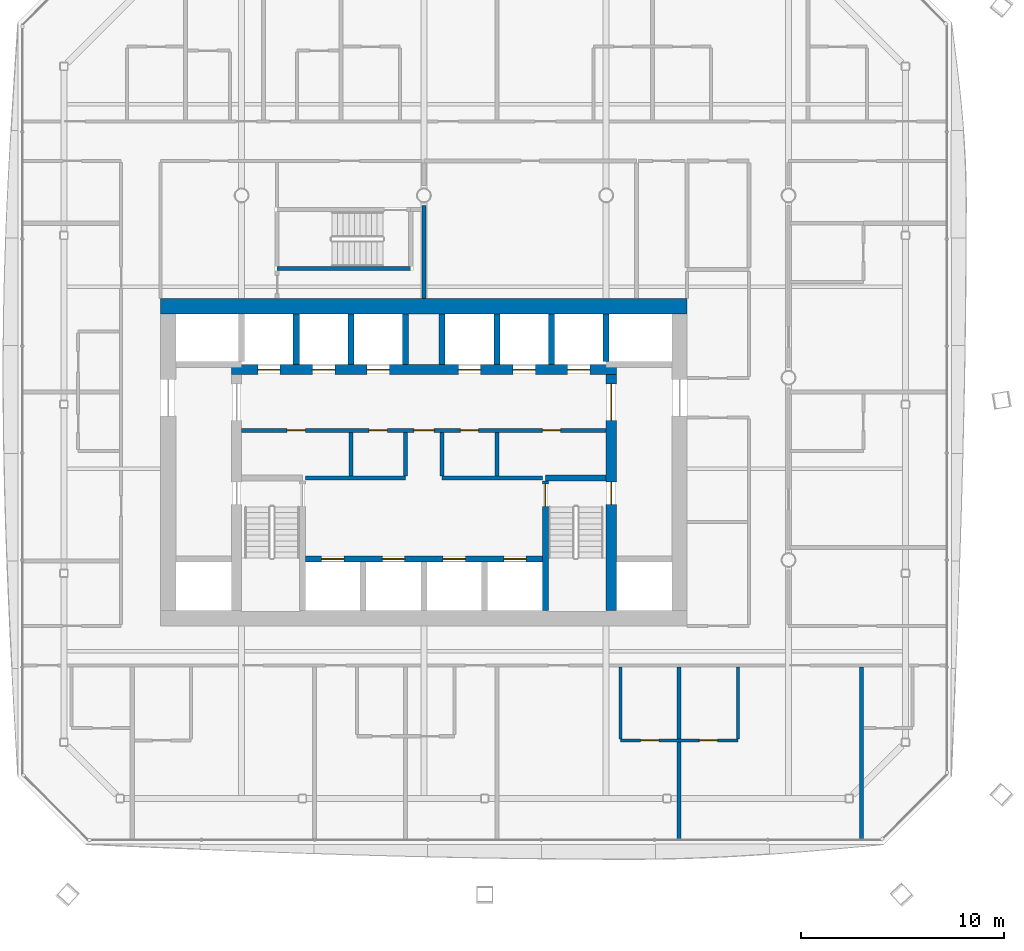
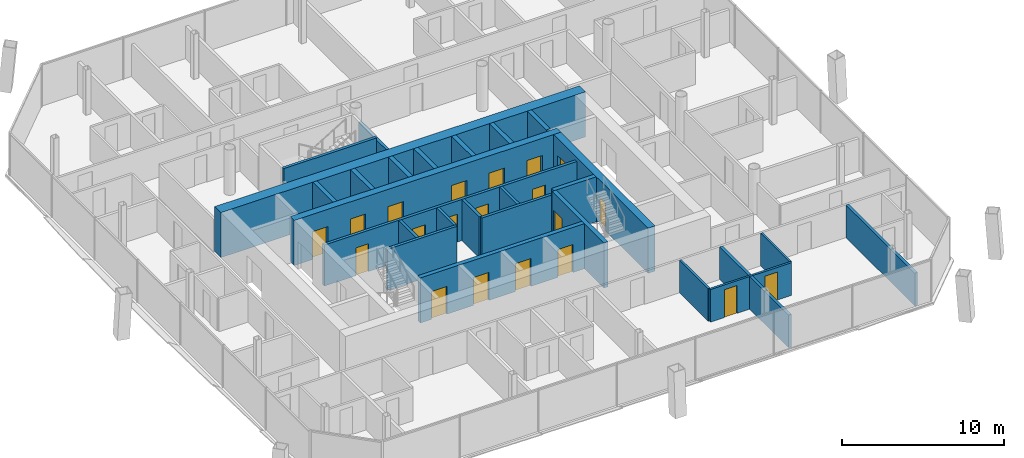
# One storey, part 13 of 21: 27 walls, 20 doors, 20 openings.
"""IFC4 building model written with IfcOpenShell, lengths in metres."""

import ifcopenshell
import ifcopenshell.guid

model = None  # the IFC model being written
_history = None  # IfcOwnerHistory: only IFC2X3 demands one
_inside = {}  # id of a spatial element -> (the spatial element, [elements in it])
_under = {}  # id of a project, library or spatial element -> (it, [spatial elements below it])
_declared = {}  # id of a project -> (the project, [libraries it declares])
_typed = {}  # id of a type object -> (the type object, [elements of that type])
_made_of = {}  # id of a material, layer set ... -> (it, [elements and type objects made of it])


def new_model(schema):
    """Start an empty IFC model of exactly this schema.

    Asked for "IFC4X3", IfcOpenShell would pick the latest addendum, in which some entities
    have other attributes; the version numbers below select the first issue.
    IFC2X3 requires an IfcOwnerHistory on every rooted entity: one is made here for all.
    """
    global model, _history
    if schema == "IFC4X3":
        model = ifcopenshell.file(schema_version=(4, 3, 0, 0))
    else:
        model = ifcopenshell.file(schema=schema)
    _inside.clear()
    _under.clear()
    _declared.clear()
    _typed.clear()
    _made_of.clear()
    _history = None
    if model.schema == "IFC2X3":
        org = make("IfcOrganization", Name="unknown")
        user = make(
            "IfcPersonAndOrganization",
            ThePerson=make("IfcPerson", FamilyName="unknown"),
            TheOrganization=org,
        )
        app = make(
            "IfcApplication",
            ApplicationDeveloper=org,
            Version="unknown",
            ApplicationFullName="unknown",
            ApplicationIdentifier="unknown",
        )
        _history = make(
            "IfcOwnerHistory",
            OwningUser=user,
            OwningApplication=app,
            ChangeAction="ADDED",
            CreationDate=0,
        )
    return model


def make(cls, **values):
    """One entity of the class cls with the attributes given. An attribute that is None is left unset."""
    return model.create_entity(
        cls, **{name: value for name, value in values.items() if value is not None}
    )


def rooted(cls, **values):
    """An entity with a GlobalId (a new one), such as an element, a storey or a relation."""
    return make(cls, GlobalId=ifcopenshell.guid.new(), OwnerHistory=_history, **values)


def si_unit(unit_type, name, prefix=None):
    """IfcSIUnit, for example si_unit("LENGTHUNIT", "METRE", prefix="MILLI")."""
    return make("IfcSIUnit", UnitType=unit_type, Prefix=prefix, Name=name)


def assignment(units):
    """IfcUnitAssignment: the units of a project."""
    return None if units is None else make("IfcUnitAssignment", Units=units)


def point(xyz):
    """IfcCartesianPoint."""
    return None if xyz is None else make("IfcCartesianPoint", Coordinates=xyz)


def direction(xyz):
    """IfcDirection."""
    return None if xyz is None else make("IfcDirection", DirectionRatios=xyz)


def frame(location, z_axis=None, x_axis=None):
    """IfcAxis2Placement3D, a coordinate frame: its origin and axes. An axis left out is left unset."""
    return make(
        "IfcAxis2Placement3D",
        Location=point(location),
        Axis=direction(z_axis),
        RefDirection=direction(x_axis),
    )


def frame_2d(location, x_axis=None):
    """IfcAxis2Placement2D, a coordinate frame in the plane: its origin and x axis."""
    return make(
        "IfcAxis2Placement2D", Location=point(location), RefDirection=direction(x_axis)
    )


def origin():
    """The frame at (0, 0, 0) with its axes left unset."""
    return frame((0.0, 0.0, 0.0))


def place(relative_to, where):
    """IfcLocalPlacement: puts the frame where relative to a parent placement (None: the world)."""
    return make(
        "IfcLocalPlacement", PlacementRelTo=relative_to, RelativePlacement=where
    )


def context(
    kind, dimensions, precision=None, world=None, true_north=None, identifier=None
):
    """IfcGeometricRepresentationContext, for example the 3D "Model" context."""
    return make(
        "IfcGeometricRepresentationContext",
        ContextIdentifier=identifier,
        ContextType=kind,
        CoordinateSpaceDimension=dimensions,
        Precision=precision,
        WorldCoordinateSystem=world,
        TrueNorth=true_north,
    )


def subcontext(parent, identifier, kind, view, scale=None):
    """IfcGeometricRepresentationSubContext, for example "Body" below "Model"."""
    return make(
        "IfcGeometricRepresentationSubContext",
        ContextIdentifier=identifier,
        ContextType=kind,
        ParentContext=parent,
        TargetScale=scale,
        TargetView=view,
    )


def project(units=None, contexts=None):
    """IfcProject with its units and contexts."""
    return rooted(
        "IfcProject",
        Name="project",
        RepresentationContexts=contexts,
        UnitsInContext=assignment(units),
    )


def spatial(cls, under=None, at=None, **own):
    """A site, building, storey or space (cls), placed at a placement, below another one or the project."""
    s = rooted(cls, ObjectPlacement=at, **own)
    if under is not None:
        _under.setdefault(under.id(), (under, []))[1].append(s)
    return s


def profile(cls, at=None, kind="AREA", **sizes):
    """A parametric profile (cls). Its sizes go by their IFC names, for example OverallWidth=200.0."""
    return make(cls, ProfileType=kind, Position=at, **sizes)


def rectangle(**sizes):
    """IfcRectangleProfileDef."""
    return profile("IfcRectangleProfileDef", **sizes)


def extrude(swept, where, along, depth):
    """IfcExtrudedAreaSolid: the profile swept, set in the frame where, extruded along a direction by depth."""
    return make(
        "IfcExtrudedAreaSolid",
        SweptArea=swept,
        Position=where,
        ExtrudedDirection=direction(along),
        Depth=depth,
    )


def shape(context_of_items, identifier, shape_type, items):
    """IfcShapeRepresentation: the items that make up one representation, for example the "Body"."""
    return make(
        "IfcShapeRepresentation",
        ContextOfItems=context_of_items,
        RepresentationIdentifier=identifier,
        RepresentationType=shape_type,
        Items=items,
    )


def material(Name=None, Category=None):
    """IfcMaterial."""
    return make("IfcMaterial", Name=Name, Category=Category)


def layer(
    of_material, thickness, ventilated=None, Name=None, Category=None, Priority=None
):
    """IfcMaterialLayer: one layer of a wall or slab, of a material (None: an air gap)."""
    return make(
        "IfcMaterialLayer",
        Material=of_material,
        LayerThickness=thickness,
        IsVentilated=ventilated,
        Name=Name,
        Category=Category,
        Priority=Priority,
    )


def layer_set(layers, Name=None):
    """IfcMaterialLayerSet."""
    return make("IfcMaterialLayerSet", MaterialLayers=layers, LayerSetName=Name)


def made_of(thing, what):
    """Note that an element or type object is made of a material, layer set ...; save() writes the relation."""
    if what is not None:
        _made_of.setdefault(what.id(), (what, []))[1].append(thing)
    return thing


def type_object(cls, material=None, **own):
    """A type object (cls), such as IfcWallType, which elements share."""
    return made_of(rooted(cls, **own), material)


def element(
    cls,
    number,
    at=None,
    inside=None,
    cuts=None,
    type_object=None,
    material=None,
    context=None,
    identifier="Body",
    shape_type=None,
    held_by="IfcProductDefinitionShape",
    body=None,
    shapes=None,
    **own,
):
    """One element of the class cls, such as IfcWall. Its Tag is "e" and its number.

    at: its placement. inside: the storey or other place that contains it. cuts: it is an
    opening in that element (IfcRelVoidsElement). A single representation is given by context,
    identifier, shape_type and body (its items); several are given by shapes. held_by: the class
    of the entity that holds the representations. save() writes the other relations.
    """
    e = rooted(cls, Tag="e%d" % number, ObjectPlacement=at, **own)
    if body is not None:
        shapes = [shape(context, identifier, shape_type, body)]
    if shapes is not None:
        e.Representation = make(held_by, Representations=shapes)
    if inside is not None:
        _inside.setdefault(inside.id(), (inside, []))[1].append(e)
    if cuts is not None:
        rooted(
            "IfcRelVoidsElement", RelatingBuildingElement=cuts, RelatedOpeningElement=e
        )
    if type_object is not None:
        _typed.setdefault(type_object.id(), (type_object, []))[1].append(e)
    return made_of(e, material)


def fill(opening, filler):
    """IfcRelFillsElement: the door or window that sits in an opening."""
    return rooted(
        "IfcRelFillsElement",
        RelatingOpeningElement=opening,
        RelatedBuildingElement=filler,
    )


def aggregate(whole, parts):
    """IfcRelAggregates: a whole, such as a stair, and the parts it consists of."""
    return rooted("IfcRelAggregates", RelatingObject=whole, RelatedObjects=parts)


def save(model, path):
    """Write the relations noted so far, then the file.

    IfcRelAggregates (storeys below a building ...), IfcRelContainedInSpatialStructure (elements
    in a storey), IfcRelDefinesByType, IfcRelAssociatesMaterial and IfcRelDeclares: one each for
    every whole, place, type object, material and project.
    """
    for whole, parts in _under.values():
        aggregate(whole, parts)
    for where, things in _inside.values():
        rooted(
            "IfcRelContainedInSpatialStructure",
            RelatedElements=things,
            RelatingStructure=where,
        )
    for kind, things in _typed.values():
        rooted("IfcRelDefinesByType", RelatedObjects=things, RelatingType=kind)
    for what, things in _made_of.values():
        rooted("IfcRelAssociatesMaterial", RelatedObjects=things, RelatingMaterial=what)
    for by, libraries in _declared.values():
        rooted("IfcRelDeclares", RelatingContext=by, RelatedDefinitions=libraries)
    model.write(path)


model = new_model("IFC4")

# Units and contexts
model_context = context("Model", 3, precision=1e-05, world=origin(), true_north=direction((0.0, 1.0)))
body_context = subcontext(model_context, "Body", "Model", "MODEL_VIEW")
ifc_project = project(units=[si_unit("LENGTHUNIT", "METRE"), si_unit("AREAUNIT", "SQUARE_METRE"), si_unit("VOLUMEUNIT", "CUBIC_METRE"), si_unit("PLANEANGLEUNIT", "RADIAN"), si_unit("MASSUNIT", "GRAM", prefix="KILO")], contexts=[model_context])

# Site, building, storey
site_placement = place(None, origin())
site = spatial("IfcSite", under=ifc_project, at=site_placement, CompositionType="ELEMENT")
building_placement = place(site_placement, origin())
building = spatial("IfcBuilding", under=site, at=building_placement, Name="Tskaro Facet Tower", CompositionType="ELEMENT")
storey_placement = place(building_placement, frame((0.0, 0.0, 138.5)))
storey = spatial("IfcBuildingStorey", under=building, at=storey_placement, Name="L33", CompositionType="ELEMENT", Elevation=138.5)

# Wall, openings, doors
ifc_material_1 = material(Name="Concrete C60/75", Category="concrete")
ifc_layer_1 = layer(ifc_material_1, 0.300048828125, Name="Concrete C60/75")
ifc_layer_set_1 = layer_set([ifc_layer_1], Name="Concrete C60/75")
wall_type_1 = type_object("IfcWallType", Name="CORE-SHAFT", PredefinedType="SHEAR", material=ifc_layer_set_1)
wall_1_placement = place(storey_placement, frame((-5.85009765625, -8.949951171875, 0.0), z_axis=(0.0, 0.0, 1.0), x_axis=(1.0, 0.0, 0.0)))
wall_1 = element("IfcWall", 1, at=wall_1_placement, inside=storey, type_object=wall_type_1, Name="Shaft wall W012", PredefinedType="SHEAR", context=body_context, shape_type="SweptSolid", body=[
    extrude(rectangle(XDim=11.7001953125, YDim=0.300048828125, at=frame_2d((5.85009765625, 0.0))), origin(), (0.0, 0.0, 1.0), 3.39990234375),
])
opening_1_placement = place(wall_1_placement, frame((0.800048828125, 0.0, 0.0)))
opening_1 = element("IfcOpeningElement", 2, at=opening_1_placement, cuts=wall_1, Name="Opening LD-FF1", PredefinedType="OPENING", context=body_context, shape_type="SweptSolid", body=[
    extrude(rectangle(XDim=1.10009765625, YDim=2.10009765625, at=frame_2d((0.550048828125, 1.050048828125))), frame((0.0, 0.159912109375, 0.0), z_axis=(0.0, -1.0, 0.0), x_axis=(1.0, 0.0, 0.0)), (0.0, 0.0, 1.0), 0.320068359375),
])
opening_2_placement = place(wall_1_placement, frame((3.800048828125, 0.0, 0.0)))
opening_2 = element("IfcOpeningElement", 3, at=opening_2_placement, cuts=wall_1, Name="Opening LD-FF2", PredefinedType="OPENING", context=body_context, shape_type="SweptSolid", body=[
    extrude(rectangle(XDim=1.10009765625, YDim=2.10009765625, at=frame_2d((0.550048828125, 1.050048828125))), frame((0.0, 0.159912109375, 0.0), z_axis=(0.0, -1.0, 0.0), x_axis=(1.0, 0.0, 0.0)), (0.0, 0.0, 1.0), 0.320068359375),
])
opening_3_placement = place(wall_1_placement, frame((6.800048828125, 0.0, 0.0)))
opening_3 = element("IfcOpeningElement", 4, at=opening_3_placement, cuts=wall_1, Name="Opening LD-SV1", PredefinedType="OPENING", context=body_context, shape_type="SweptSolid", body=[
    extrude(rectangle(XDim=1.10009765625, YDim=2.10009765625, at=frame_2d((0.550048828125, 1.050048828125))), frame((0.0, 0.159912109375, 0.0), z_axis=(0.0, -1.0, 0.0), x_axis=(1.0, 0.0, 0.0)), (0.0, 0.0, 1.0), 0.320068359375),
])
opening_4_placement = place(wall_1_placement, frame((9.800048828125, 0.0, 0.0)))
opening_4 = element("IfcOpeningElement", 5, at=opening_4_placement, cuts=wall_1, Name="Opening LD-SV2", PredefinedType="OPENING", context=body_context, shape_type="SweptSolid", body=[
    extrude(rectangle(XDim=1.10009765625, YDim=2.10009765625, at=frame_2d((0.550048828125, 1.050048828125))), frame((0.0, 0.159912109375, 0.0), z_axis=(0.0, -1.0, 0.0), x_axis=(1.0, 0.0, 0.0)), (0.0, 0.0, 1.0), 0.320068359375),
])
ifc_material_2 = material(Name="Stainless steel", Category="steel")
door_type_1 = type_object("IfcDoorType", Name="D-LANDING", OperationType="NOTDEFINED", PredefinedType="DOOR", material=ifc_material_2)
door_1_placement = place(opening_1_placement, origin())
door_1 = element("IfcDoor", 6, at=door_1_placement, inside=storey, type_object=door_type_1, Name="Landing door FF1", OperationType="DOUBLE_DOOR_SLIDING", OverallHeight=2.10009765625, OverallWidth=1.10009765625, PredefinedType="DOOR", context=body_context, shape_type="SweptSolid", body=[
    extrude(rectangle(XDim=1.10009765625, YDim=2.10009765625, at=frame_2d((0.550048828125, 1.050048828125))), frame((0.0, 0.02490234375, 0.0), z_axis=(0.0, -1.0, 0.0), x_axis=(1.0, 0.0, 0.0)), (0.0, 0.0, 1.0), 0.050048828125),
])
fill(opening_1, door_1)
door_2_placement = place(opening_2_placement, origin())
door_2 = element("IfcDoor", 7, at=door_2_placement, inside=storey, type_object=door_type_1, Name="Landing door FF2", OperationType="DOUBLE_DOOR_SLIDING", OverallHeight=2.10009765625, OverallWidth=1.10009765625, PredefinedType="DOOR", context=body_context, shape_type="SweptSolid", body=[
    extrude(rectangle(XDim=1.10009765625, YDim=2.10009765625, at=frame_2d((0.550048828125, 1.050048828125))), frame((0.0, 0.02490234375, 0.0), z_axis=(0.0, -1.0, 0.0), x_axis=(1.0, 0.0, 0.0)), (0.0, 0.0, 1.0), 0.050048828125),
])
fill(opening_2, door_2)
door_3_placement = place(opening_3_placement, origin())
door_3 = element("IfcDoor", 8, at=door_3_placement, inside=storey, type_object=door_type_1, Name="Landing door SV1", OperationType="DOUBLE_DOOR_SLIDING", OverallHeight=2.10009765625, OverallWidth=1.10009765625, PredefinedType="DOOR", context=body_context, shape_type="SweptSolid", body=[
    extrude(rectangle(XDim=1.10009765625, YDim=2.10009765625, at=frame_2d((0.550048828125, 1.050048828125))), frame((0.0, 0.02490234375, 0.0), z_axis=(0.0, -1.0, 0.0), x_axis=(1.0, 0.0, 0.0)), (0.0, 0.0, 1.0), 0.050048828125),
])
fill(opening_3, door_3)
door_4_placement = place(opening_4_placement, origin())
door_4 = element("IfcDoor", 9, at=door_4_placement, inside=storey, type_object=door_type_1, Name="Landing door SV2", OperationType="DOUBLE_DOOR_SLIDING", OverallHeight=2.10009765625, OverallWidth=1.10009765625, PredefinedType="DOOR", context=body_context, shape_type="SweptSolid", body=[
    extrude(rectangle(XDim=1.10009765625, YDim=2.10009765625, at=frame_2d((0.550048828125, 1.050048828125))), frame((0.0, 0.02490234375, 0.0), z_axis=(0.0, -1.0, 0.0), x_axis=(1.0, 0.0, 0.0)), (0.0, 0.0, 1.0), 0.050048828125),
])
fill(opening_4, door_4)

# Walls
wall_2_placement = place(storey_placement, frame((6.0, -4.949951171875, 0.0), z_axis=(0.0, 0.0, 1.0), x_axis=(1.0, 0.0, 0.0)))
element("IfcWall", 10, at=wall_2_placement, inside=storey, type_object=wall_type_1, Name="Shaft wall W019", PredefinedType="SHEAR", context=body_context, shape_type="SweptSolid", body=[
    extrude(rectangle(XDim=3.0, YDim=0.300048828125, at=frame_2d((1.5, 0.0))), origin(), (0.0, 0.0, 1.0), 3.39990234375),
])
for number, where, z_axis, x_axis, name in (
    (11, (-6.300048828125, 0.64990234375, 0.0), (0.0, 0.0, 1.0), (0.0, 1.0, 0.0), "Shaft wall W065"),
    (12, (-3.60009765625, 0.64990234375, 0.0), (0.0, 0.0, 1.0), (0.0, 1.0, 0.0), "Shaft wall W071"),
    (13, (-0.89990234375, 0.64990234375, 0.0), (0.0, 0.0, 1.0), (0.0, 1.0, 0.0), "Shaft wall W077"),
    (14, (0.89990234375, 0.64990234375, 0.0), (0.0, 0.0, 1.0), (0.0, 1.0, 0.0), "Shaft wall W083"),
    (15, (3.60009765625, 0.64990234375, 0.0), (0.0, 0.0, 1.0), (0.0, 1.0, 0.0), "Shaft wall W088"),
):
    element("IfcWall", number, at=place(storey_placement, frame(where, z_axis=z_axis, x_axis=x_axis)), inside=storey, type_object=wall_type_1, Name=name, PredefinedType="SHEAR", context=body_context, shape_type="SweptSolid", body=[
        extrude(rectangle(XDim=2.5, YDim=0.300048828125, at=frame_2d((1.25, 0.0))), origin(), (0.0, 0.0, 1.0), 3.39990234375),
    ])

# Wall, opening, door
wall_3_placement = place(storey_placement, frame((6.0, -5.10009765625, 0.0), z_axis=(0.0, 0.0, 1.0), x_axis=(0.0, -1.0, 0.0)))
wall_3 = element("IfcWall", 16, at=wall_3_placement, inside=storey, type_object=wall_type_1, Name="Shaft wall W090", PredefinedType="SHEAR", context=body_context, shape_type="SweptSolid", body=[
    extrude(rectangle(XDim=6.39990234375, YDim=0.300048828125, at=frame_2d((3.199951171875, 0.0))), origin(), (0.0, 0.0, 1.0), 3.39990234375),
])
opening_5_placement = place(wall_3_placement, frame((0.14990234375, 0.0, 0.0)))
opening_5 = element("IfcOpeningElement", 17, at=opening_5_placement, cuts=wall_3, Name="Opening ST-2-D1", PredefinedType="OPENING", context=body_context, shape_type="SweptSolid", body=[
    extrude(rectangle(XDim=1.10009765625, YDim=2.10009765625, at=frame_2d((0.550048828125, 1.050048828125))), frame((0.0, 0.159912109375, 0.0), z_axis=(0.0, -1.0, 0.0), x_axis=(1.0, 0.0, 0.0)), (0.0, 0.0, 1.0), 0.320068359375),
])
ifc_material_3 = material(Name="Steel", Category="steel")
door_type_2 = type_object("IfcDoorType", Name="D-STAIR", OperationType="NOTDEFINED", PredefinedType="DOOR", material=ifc_material_3)
door_5_placement = place(opening_5_placement, origin())
door_5 = element("IfcDoor", 18, at=door_5_placement, inside=storey, type_object=door_type_2, Name="Stair door 2", OperationType="SINGLE_SWING_RIGHT", OverallHeight=2.10009765625, OverallWidth=1.10009765625, PredefinedType="DOOR", context=body_context, shape_type="SweptSolid", body=[
    extrude(rectangle(XDim=1.10009765625, YDim=2.10009765625, at=frame_2d((0.550048828125, 1.050048828125))), frame((0.0, 0.02490234375, 0.0), z_axis=(0.0, -1.0, 0.0), x_axis=(1.0, 0.0, 0.0)), (0.0, 0.0, 1.0), 0.050048828125),
])
fill(opening_5, door_5)

# Walls
wall_4_placement = place(storey_placement, frame((6.300048828125, 0.64990234375, 0.0), z_axis=(0.0, 0.0, 1.0), x_axis=(0.0, 1.0, 0.0)))
element("IfcWall", 19, at=wall_4_placement, inside=storey, type_object=wall_type_1, Name="Shaft wall W091", PredefinedType="SHEAR", context=body_context, shape_type="SweptSolid", body=[
    extrude(rectangle(XDim=2.5, YDim=0.300048828125, at=frame_2d((1.25, 0.0))), origin(), (0.0, 0.0, 1.0), 3.39990234375),
])
wall_5_placement = place(storey_placement, frame((9.0, 0.800048828125, 0.0), z_axis=(0.0, 0.0, 1.0), x_axis=(0.0, 1.0, 0.0)))
element("IfcWall", 20, at=wall_5_placement, inside=storey, type_object=wall_type_1, Name="Shaft wall W093", PredefinedType="SHEAR", context=body_context, shape_type="SweptSolid", body=[
    extrude(rectangle(XDim=2.349853515625, YDim=0.300048828125, at=frame_2d((1.1748046875, 0.0))), origin(), (0.0, 0.0, 1.0), 3.39990234375),
])
ifc_material_4 = material(Name="Concrete C20/25", Category="concrete")
ifc_layer_2 = layer(ifc_material_4, 0.199951171875, Name="Concrete C20/25")
ifc_layer_set_2 = layer_set([ifc_layer_2], Name="Concrete C20/25")
wall_type_2 = type_object("IfcWallType", Name="CORE-WALL", PredefinedType="SOLIDWALL", material=ifc_layer_set_2)
for number, where, z_axis, x_axis, name in (
    (21, (-5.85009765625, -4.949951171875, 0.0), (0.0, 0.0, 1.0), (1.0, 0.0, 0.0), "Core room wall W017"),
    (22, (0.89990234375, -4.949951171875, 0.0), (0.0, 0.0, 1.0), (1.0, 0.0, 0.0), "Core room wall W018"),
):
    element("IfcWall", number, at=place(storey_placement, frame(where, z_axis=z_axis, x_axis=x_axis)), inside=storey, type_object=wall_type_2, Name=name, PredefinedType="SOLIDWALL", context=body_context, shape_type="SweptSolid", body=[
        extrude(rectangle(XDim=4.9501953125, YDim=0.199951171875, at=frame_2d((2.47509765625, 0.0))), origin(), (0.0, 0.0, 1.0), 3.10009765625),
    ])

# Wall, openings, doors
wall_6_placement = place(storey_placement, frame((9.0, -2.60009765625, 0.0), z_axis=(0.0, 0.0, 1.0), x_axis=(-1.0, 0.0, 0.0)))
wall_6 = element("IfcWall", 23, at=wall_6_placement, inside=storey, type_object=wall_type_2, Name="Core room wall W022", PredefinedType="SOLIDWALL", context=body_context, shape_type="SweptSolid", body=[
    extrude(rectangle(XDim=18.0, YDim=0.199951171875, at=frame_2d((9.0, 0.0))), origin(), (0.0, 0.0, 1.0), 3.10009765625),
])
opening_6_placement = place(wall_6_placement, frame((8.5, 0.0, 0.0)))
opening_6 = element("IfcOpeningElement", 24, at=opening_6_placement, cuts=wall_6, Name="Opening FL-D1", PredefinedType="OPENING", context=body_context, shape_type="SweptSolid", body=[
    extrude(rectangle(XDim=1.0, YDim=2.10009765625, at=frame_2d((0.5, 1.050048828125))), frame((0.0, 0.10986328125, 0.0), z_axis=(0.0, -1.0, 0.0), x_axis=(1.0, 0.0, 0.0)), (0.0, 0.0, 1.0), 0.219970703125),
])
opening_7_placement = place(wall_6_placement, frame((14.85009765625, 0.0, 0.0)))
opening_7 = element("IfcOpeningElement", 25, at=opening_7_placement, cuts=wall_6, Name="Opening T9-D22", PredefinedType="OPENING", context=body_context, shape_type="SweptSolid", body=[
    extrude(rectangle(XDim=0.89990234375, YDim=2.10009765625, at=frame_2d((0.449951171875, 1.050048828125))), frame((0.0, 0.10986328125, 0.0), z_axis=(0.0, -1.0, 0.0), x_axis=(1.0, 0.0, 0.0)), (0.0, 0.0, 1.0), 0.219970703125),
])
opening_8_placement = place(wall_6_placement, frame((10.800048828125, 0.0, 0.0)))
opening_8 = element("IfcOpeningElement", 26, at=opening_8_placement, cuts=wall_6, Name="Opening T9-D23", PredefinedType="OPENING", context=body_context, shape_type="SweptSolid", body=[
    extrude(rectangle(XDim=0.89990234375, YDim=2.10009765625, at=frame_2d((0.449951171875, 1.050048828125))), frame((0.0, 0.10986328125, 0.0), z_axis=(0.0, -1.0, 0.0), x_axis=(1.0, 0.0, 0.0)), (0.0, 0.0, 1.0), 0.219970703125),
])
opening_9_placement = place(wall_6_placement, frame((6.300048828125, 0.0, 0.0)))
opening_9 = element("IfcOpeningElement", 27, at=opening_9_placement, cuts=wall_6, Name="Opening T9-D24", PredefinedType="OPENING", context=body_context, shape_type="SweptSolid", body=[
    extrude(rectangle(XDim=0.89990234375, YDim=2.10009765625, at=frame_2d((0.449951171875, 1.050048828125))), frame((0.0, 0.10986328125, 0.0), z_axis=(0.0, -1.0, 0.0), x_axis=(1.0, 0.0, 0.0)), (0.0, 0.0, 1.0), 0.219970703125),
])
opening_10_placement = place(wall_6_placement, frame((2.25, 0.0, 0.0)))
opening_10 = element("IfcOpeningElement", 28, at=opening_10_placement, cuts=wall_6, Name="Opening T9-D25", PredefinedType="OPENING", context=body_context, shape_type="SweptSolid", body=[
    extrude(rectangle(XDim=0.89990234375, YDim=2.10009765625, at=frame_2d((0.449951171875, 1.050048828125))), frame((0.0, 0.10986328125, 0.0), z_axis=(0.0, -1.0, 0.0), x_axis=(1.0, 0.0, 0.0)), (0.0, 0.0, 1.0), 0.219970703125),
])
door_type_3 = type_object("IfcDoorType", Name="D-LOBBY", OperationType="NOTDEFINED", PredefinedType="DOOR", material=ifc_material_3)
door_6_placement = place(opening_6_placement, origin())
door_6 = element("IfcDoor", 29, at=door_6_placement, inside=storey, type_object=door_type_3, Name="Lobby door FL", OperationType="SINGLE_SWING_RIGHT", OverallHeight=2.10009765625, OverallWidth=1.0, PredefinedType="DOOR", context=body_context, shape_type="SweptSolid", body=[
    extrude(rectangle(XDim=1.0, YDim=2.10009765625, at=frame_2d((0.5, 1.050048828125))), frame((0.0, 0.02490234375, 0.0), z_axis=(0.0, -1.0, 0.0), x_axis=(1.0, 0.0, 0.0)), (0.0, 0.0, 1.0), 0.050048828125),
])
fill(opening_6, door_6)
ifc_material_5 = material(Name="Timber", Category="wood")
door_type_4 = type_object("IfcDoorType", Name="D-ROOM", OperationType="NOTDEFINED", PredefinedType="DOOR", material=ifc_material_5)
door_7_placement = place(opening_7_placement, origin())
door_7 = element("IfcDoor", 30, at=door_7_placement, inside=storey, type_object=door_type_4, Name="Door T9-D22", OperationType="SINGLE_SWING_RIGHT", OverallHeight=2.10009765625, OverallWidth=0.89990234375, PredefinedType="DOOR", context=body_context, shape_type="SweptSolid", body=[
    extrude(rectangle(XDim=0.89990234375, YDim=2.10009765625, at=frame_2d((0.449951171875, 1.050048828125))), frame((0.0, 0.02490234375, 0.0), z_axis=(0.0, -1.0, 0.0), x_axis=(1.0, 0.0, 0.0)), (0.0, 0.0, 1.0), 0.050048828125),
])
fill(opening_7, door_7)
door_8_placement = place(opening_8_placement, origin())
door_8 = element("IfcDoor", 31, at=door_8_placement, inside=storey, type_object=door_type_4, Name="Door T9-D23", OperationType="SINGLE_SWING_RIGHT", OverallHeight=2.10009765625, OverallWidth=0.89990234375, PredefinedType="DOOR", context=body_context, shape_type="SweptSolid", body=[
    extrude(rectangle(XDim=0.89990234375, YDim=2.10009765625, at=frame_2d((0.449951171875, 1.050048828125))), frame((0.0, 0.02490234375, 0.0), z_axis=(0.0, -1.0, 0.0), x_axis=(1.0, 0.0, 0.0)), (0.0, 0.0, 1.0), 0.050048828125),
])
fill(opening_8, door_8)
door_9_placement = place(opening_9_placement, origin())
door_9 = element("IfcDoor", 32, at=door_9_placement, inside=storey, type_object=door_type_4, Name="Door T9-D24", OperationType="SINGLE_SWING_RIGHT", OverallHeight=2.10009765625, OverallWidth=0.89990234375, PredefinedType="DOOR", context=body_context, shape_type="SweptSolid", body=[
    extrude(rectangle(XDim=0.89990234375, YDim=2.10009765625, at=frame_2d((0.449951171875, 1.050048828125))), frame((0.0, 0.02490234375, 0.0), z_axis=(0.0, -1.0, 0.0), x_axis=(1.0, 0.0, 0.0)), (0.0, 0.0, 1.0), 0.050048828125),
])
fill(opening_9, door_9)
door_10_placement = place(opening_10_placement, origin())
door_10 = element("IfcDoor", 33, at=door_10_placement, inside=storey, type_object=door_type_4, Name="Door T9-D25", OperationType="SINGLE_SWING_RIGHT", OverallHeight=2.10009765625, OverallWidth=0.89990234375, PredefinedType="DOOR", context=body_context, shape_type="SweptSolid", body=[
    extrude(rectangle(XDim=0.89990234375, YDim=2.10009765625, at=frame_2d((0.449951171875, 1.050048828125))), frame((0.0, 0.02490234375, 0.0), z_axis=(0.0, -1.0, 0.0), x_axis=(1.0, 0.0, 0.0)), (0.0, 0.0, 1.0), 0.050048828125),
])
fill(opening_10, door_10)

# Walls
for number, where, z_axis, x_axis, name in (
    (34, (-3.60009765625, -4.85009765625, 0.0), (0.0, 0.0, 1.0), (0.0, 1.0, 0.0), "Core room wall W070"),
    (35, (-0.89990234375, -4.85009765625, 0.0), (0.0, 0.0, 1.0), (0.0, 1.0, 0.0), "Core room wall W076"),
    (36, (0.89990234375, -4.85009765625, 0.0), (0.0, 0.0, 1.0), (0.0, 1.0, 0.0), "Core room wall W082"),
    (37, (3.60009765625, -4.85009765625, 0.0), (0.0, 0.0, 1.0), (0.0, 1.0, 0.0), "Core room wall W087"),
):
    element("IfcWall", number, at=place(storey_placement, frame(where, z_axis=z_axis, x_axis=x_axis)), inside=storey, type_object=wall_type_2, Name=name, PredefinedType="SOLIDWALL", context=body_context, shape_type="SweptSolid", body=[
        extrude(rectangle(XDim=2.150146484375, YDim=0.199951171875, at=frame_2d((1.0751953125, 0.0))), origin(), (0.0, 0.0, 1.0), 3.10009765625),
    ])

# Wall, openings, doors
ifc_material_6 = material(Name="Concrete C40/50", Category="concrete")
ifc_layer_3 = layer(ifc_material_6, 0.5, Name="Concrete C40/50")
ifc_layer_set_3 = layer_set([ifc_layer_3], Name="Concrete C40/50")
wall_type_3 = type_object("IfcWallType", Name="Core wall 500", PredefinedType="SHEAR", material=ifc_layer_set_3)
wall_7_placement = place(storey_placement, frame((-9.5, 0.39990234375, 0.0), z_axis=(0.0, 0.0, 1.0), x_axis=(1.0, 0.0, 0.0)))
wall_7 = element("IfcWall", 38, at=wall_7_placement, inside=storey, type_object=wall_type_3, Name="Core wall CW-Z3N", PredefinedType="SHEAR", context=body_context, shape_type="SweptSolid", body=[
    extrude(rectangle(XDim=19.0, YDim=0.5, at=frame_2d((9.5, 0.0))), origin(), (0.0, 0.0, 1.0), 3.39990234375),
])
opening_11_placement = place(wall_7_placement, frame((1.300048828125, 0.0, 0.0)))
opening_11 = element("IfcOpeningElement", 39, at=opening_11_placement, cuts=wall_7, Name="Opening LD-MB1", PredefinedType="OPENING", context=body_context, shape_type="SweptSolid", body=[
    extrude(rectangle(XDim=1.10009765625, YDim=2.10009765625, at=frame_2d((0.550048828125, 1.050048828125))), frame((0.0, 0.260009765625, 0.0), z_axis=(0.0, -1.0, 0.0), x_axis=(1.0, 0.0, 0.0)), (0.0, 0.0, 1.0), 0.52001953125),
])
opening_12_placement = place(wall_7_placement, frame((4.0, 0.0, 0.0)))
opening_12 = element("IfcOpeningElement", 40, at=opening_12_placement, cuts=wall_7, Name="Opening LD-MB2", PredefinedType="OPENING", context=body_context, shape_type="SweptSolid", body=[
    extrude(rectangle(XDim=1.10009765625, YDim=2.10009765625, at=frame_2d((0.550048828125, 1.050048828125))), frame((0.0, 0.260009765625, 0.0), z_axis=(0.0, -1.0, 0.0), x_axis=(1.0, 0.0, 0.0)), (0.0, 0.0, 1.0), 0.52001953125),
])
opening_13_placement = place(wall_7_placement, frame((6.699951171875, 0.0, 0.0)))
opening_13 = element("IfcOpeningElement", 41, at=opening_13_placement, cuts=wall_7, Name="Opening LD-MB3", PredefinedType="OPENING", context=body_context, shape_type="SweptSolid", body=[
    extrude(rectangle(XDim=1.10009765625, YDim=2.10009765625, at=frame_2d((0.550048828125, 1.050048828125))), frame((0.0, 0.260009765625, 0.0), z_axis=(0.0, -1.0, 0.0), x_axis=(1.0, 0.0, 0.0)), (0.0, 0.0, 1.0), 0.52001953125),
])
opening_14_placement = place(wall_7_placement, frame((11.199951171875, 0.0, 0.0)))
opening_14 = element("IfcOpeningElement", 42, at=opening_14_placement, cuts=wall_7, Name="Opening LD-MB4", PredefinedType="OPENING", context=body_context, shape_type="SweptSolid", body=[
    extrude(rectangle(XDim=1.10009765625, YDim=2.10009765625, at=frame_2d((0.550048828125, 1.050048828125))), frame((0.0, 0.260009765625, 0.0), z_axis=(0.0, -1.0, 0.0), x_axis=(1.0, 0.0, 0.0)), (0.0, 0.0, 1.0), 0.52001953125),
])
opening_15_placement = place(wall_7_placement, frame((13.89990234375, 0.0, 0.0)))
opening_15 = element("IfcOpeningElement", 43, at=opening_15_placement, cuts=wall_7, Name="Opening LD-MB5", PredefinedType="OPENING", context=body_context, shape_type="SweptSolid", body=[
    extrude(rectangle(XDim=1.10009765625, YDim=2.10009765625, at=frame_2d((0.550048828125, 1.050048828125))), frame((0.0, 0.260009765625, 0.0), z_axis=(0.0, -1.0, 0.0), x_axis=(1.0, 0.0, 0.0)), (0.0, 0.0, 1.0), 0.52001953125),
])
opening_16_placement = place(wall_7_placement, frame((16.60009765625, 0.0, 0.0)))
opening_16 = element("IfcOpeningElement", 44, at=opening_16_placement, cuts=wall_7, Name="Opening LD-MB6", PredefinedType="OPENING", context=body_context, shape_type="SweptSolid", body=[
    extrude(rectangle(XDim=1.10009765625, YDim=2.10009765625, at=frame_2d((0.550048828125, 1.050048828125))), frame((0.0, 0.260009765625, 0.0), z_axis=(0.0, -1.0, 0.0), x_axis=(1.0, 0.0, 0.0)), (0.0, 0.0, 1.0), 0.52001953125),
])
door_11_placement = place(opening_11_placement, origin())
door_11 = element("IfcDoor", 45, at=door_11_placement, inside=storey, type_object=door_type_1, Name="Landing door MB1", OperationType="DOUBLE_DOOR_SLIDING", OverallHeight=2.10009765625, OverallWidth=1.10009765625, PredefinedType="DOOR", context=body_context, shape_type="SweptSolid", body=[
    extrude(rectangle(XDim=1.10009765625, YDim=2.10009765625, at=frame_2d((0.550048828125, 1.050048828125))), frame((0.0, 0.02490234375, 0.0), z_axis=(0.0, -1.0, 0.0), x_axis=(1.0, 0.0, 0.0)), (0.0, 0.0, 1.0), 0.050048828125),
])
fill(opening_11, door_11)
door_12_placement = place(opening_12_placement, origin())
door_12 = element("IfcDoor", 46, at=door_12_placement, inside=storey, type_object=door_type_1, Name="Landing door MB2", OperationType="DOUBLE_DOOR_SLIDING", OverallHeight=2.10009765625, OverallWidth=1.10009765625, PredefinedType="DOOR", context=body_context, shape_type="SweptSolid", body=[
    extrude(rectangle(XDim=1.10009765625, YDim=2.10009765625, at=frame_2d((0.550048828125, 1.050048828125))), frame((0.0, 0.02490234375, 0.0), z_axis=(0.0, -1.0, 0.0), x_axis=(1.0, 0.0, 0.0)), (0.0, 0.0, 1.0), 0.050048828125),
])
fill(opening_12, door_12)
door_13_placement = place(opening_13_placement, origin())
door_13 = element("IfcDoor", 47, at=door_13_placement, inside=storey, type_object=door_type_1, Name="Landing door MB3", OperationType="DOUBLE_DOOR_SLIDING", OverallHeight=2.10009765625, OverallWidth=1.10009765625, PredefinedType="DOOR", context=body_context, shape_type="SweptSolid", body=[
    extrude(rectangle(XDim=1.10009765625, YDim=2.10009765625, at=frame_2d((0.550048828125, 1.050048828125))), frame((0.0, 0.02490234375, 0.0), z_axis=(0.0, -1.0, 0.0), x_axis=(1.0, 0.0, 0.0)), (0.0, 0.0, 1.0), 0.050048828125),
])
fill(opening_13, door_13)
door_14_placement = place(opening_14_placement, origin())
door_14 = element("IfcDoor", 48, at=door_14_placement, inside=storey, type_object=door_type_1, Name="Landing door MB4", OperationType="DOUBLE_DOOR_SLIDING", OverallHeight=2.10009765625, OverallWidth=1.10009765625, PredefinedType="DOOR", context=body_context, shape_type="SweptSolid", body=[
    extrude(rectangle(XDim=1.10009765625, YDim=2.10009765625, at=frame_2d((0.550048828125, 1.050048828125))), frame((0.0, 0.02490234375, 0.0), z_axis=(0.0, -1.0, 0.0), x_axis=(1.0, 0.0, 0.0)), (0.0, 0.0, 1.0), 0.050048828125),
])
fill(opening_14, door_14)
door_15_placement = place(opening_15_placement, origin())
door_15 = element("IfcDoor", 49, at=door_15_placement, inside=storey, type_object=door_type_1, Name="Landing door MB5", OperationType="DOUBLE_DOOR_SLIDING", OverallHeight=2.10009765625, OverallWidth=1.10009765625, PredefinedType="DOOR", context=body_context, shape_type="SweptSolid", body=[
    extrude(rectangle(XDim=1.10009765625, YDim=2.10009765625, at=frame_2d((0.550048828125, 1.050048828125))), frame((0.0, 0.02490234375, 0.0), z_axis=(0.0, -1.0, 0.0), x_axis=(1.0, 0.0, 0.0)), (0.0, 0.0, 1.0), 0.050048828125),
])
fill(opening_15, door_15)
door_16_placement = place(opening_16_placement, origin())
door_16 = element("IfcDoor", 50, at=door_16_placement, inside=storey, type_object=door_type_1, Name="Landing door MB6", OperationType="DOUBLE_DOOR_SLIDING", OverallHeight=2.10009765625, OverallWidth=1.10009765625, PredefinedType="DOOR", context=body_context, shape_type="SweptSolid", body=[
    extrude(rectangle(XDim=1.10009765625, YDim=2.10009765625, at=frame_2d((0.550048828125, 1.050048828125))), frame((0.0, 0.02490234375, 0.0), z_axis=(0.0, -1.0, 0.0), x_axis=(1.0, 0.0, 0.0)), (0.0, 0.0, 1.0), 0.050048828125),
])
fill(opening_16, door_16)

wall_8_placement = place(storey_placement, frame((9.25, -11.5, 0.0), z_axis=(0.0, 0.0, 1.0), x_axis=(0.0, 1.0, 0.0)))
wall_8 = element("IfcWall", 51, at=wall_8_placement, inside=storey, type_object=wall_type_3, Name="Core wall CW-Z3E", PredefinedType="SHEAR", context=body_context, shape_type="SweptSolid", body=[
    extrude(rectangle(XDim=11.64990234375, YDim=0.5, at=frame_2d((5.824951171875, 0.0))), origin(), (0.0, 0.0, 1.0), 3.39990234375),
])
opening_17_placement = place(wall_8_placement, frame((9.39990234375, 0.0, 0.0)))
opening_17 = element("IfcOpeningElement", 52, at=opening_17_placement, cuts=wall_8, Name="Opening T9-D30", PredefinedType="OPENING", context=body_context, shape_type="SweptSolid", body=[
    extrude(rectangle(XDim=1.800048828125, YDim=2.10009765625, at=frame_2d((0.89990234375, 1.050048828125))), frame((0.0, 0.260009765625, 0.0), z_axis=(0.0, -1.0, 0.0), x_axis=(1.0, 0.0, 0.0)), (0.0, 0.0, 1.0), 0.52001953125),
])
opening_18_placement = place(wall_8_placement, frame((5.25, 0.0, 0.0)))
opening_18 = element("IfcOpeningElement", 53, at=opening_18_placement, cuts=wall_8, Name="Opening ST-2-D2", PredefinedType="OPENING", context=body_context, shape_type="SweptSolid", body=[
    extrude(rectangle(XDim=1.10009765625, YDim=2.10009765625, at=frame_2d((0.550048828125, 1.050048828125))), frame((0.0, 0.260009765625, 0.0), z_axis=(0.0, -1.0, 0.0), x_axis=(1.0, 0.0, 0.0)), (0.0, 0.0, 1.0), 0.52001953125),
])
door_type_5 = type_object("IfcDoorType", Name="D-CORE-PAIR", OperationType="NOTDEFINED", PredefinedType="DOOR", material=ifc_material_3)
door_17_placement = place(opening_17_placement, origin())
door_17 = element("IfcDoor", 54, at=door_17_placement, inside=storey, type_object=door_type_5, Name="Door T9-D30", OperationType="DOUBLE_DOOR_SINGLE_SWING", OverallHeight=2.10009765625, OverallWidth=1.800048828125, PredefinedType="DOOR", context=body_context, shape_type="SweptSolid", body=[
    extrude(rectangle(XDim=1.800048828125, YDim=2.10009765625, at=frame_2d((0.89990234375, 1.050048828125))), frame((0.0, 0.02490234375, 0.0), z_axis=(0.0, -1.0, 0.0), x_axis=(1.0, 0.0, 0.0)), (0.0, 0.0, 1.0), 0.050048828125),
])
fill(opening_17, door_17)
door_18_placement = place(opening_18_placement, origin())
door_18 = element("IfcDoor", 55, at=door_18_placement, inside=storey, type_object=door_type_2, Name="Stair door 2 east", OperationType="SINGLE_SWING_LEFT", OverallHeight=2.10009765625, OverallWidth=1.10009765625, PredefinedType="DOOR", context=body_context, shape_type="SweptSolid", body=[
    extrude(rectangle(XDim=1.10009765625, YDim=2.10009765625, at=frame_2d((0.550048828125, 1.050048828125))), frame((0.0, 0.02490234375, 0.0), z_axis=(0.0, -1.0, 0.0), x_axis=(1.0, 0.0, 0.0)), (0.0, 0.0, 1.0), 0.050048828125),
])
fill(opening_18, door_18)

# Wall
ifc_material_7 = material(Name="Concrete C50/60", Category="concrete")
ifc_layer_4 = layer(ifc_material_7, 0.75, Name="Concrete C50/60")
ifc_layer_set_4 = layer_set([ifc_layer_4], Name="Concrete C50/60")
wall_type_4 = type_object("IfcWallType", Name="Core wall 750", PredefinedType="SHEAR", material=ifc_layer_set_4)
wall_9_placement = place(storey_placement, frame((-13.0, 3.52490234375, 0.0), z_axis=(0.0, 0.0, 1.0), x_axis=(1.0, 0.0, 0.0)))
element("IfcWall", 56, at=wall_9_placement, inside=storey, type_object=wall_type_4, Name="Core wall CW-Z2N", PredefinedType="SHEAR", context=body_context, shape_type="SweptSolid", body=[
    extrude(rectangle(XDim=26.0, YDim=0.75, at=frame_2d((13.0, 0.0))), origin(), (0.0, 0.0, 1.0), 3.39990234375),
])

# Wall, openings, doors
ifc_material_8 = material(Name="Gypsum board on steel studs", Category="steel")
ifc_layer_5 = layer(ifc_material_8, 0.14990234375, Name="Gypsum board on steel studs")
ifc_layer_set_5 = layer_set([ifc_layer_5], Name="Gypsum board on steel studs")
wall_type_5 = type_object("IfcWallType", Name="PART-CORR", PredefinedType="PARTITIONING", material=ifc_layer_set_5)
wall_10_placement = place(storey_placement, frame((9.699951171875, -17.89990234375, 0.0), z_axis=(0.0, 0.0, 1.0), x_axis=(1.0, 0.0, 0.0)))
wall_10 = element("IfcWall", 57, at=wall_10_placement, inside=storey, type_object=wall_type_5, Name="Corridor wall W002", PredefinedType="PARTITIONING", context=body_context, shape_type="SweptSolid", body=[
    extrude(rectangle(XDim=5.800048828125, YDim=0.14990234375, at=frame_2d((2.89990234375, 0.0))), origin(), (0.0, 0.0, 1.0), 2.4599609375),
])
opening_19_placement = place(wall_10_placement, frame((1.0, 0.0, 0.0)))
opening_19 = element("IfcOpeningElement", 58, at=opening_19_placement, cuts=wall_10, Name="Opening T9-D02", PredefinedType="OPENING", context=body_context, shape_type="SweptSolid", body=[
    extrude(rectangle(XDim=0.89990234375, YDim=2.10009765625, at=frame_2d((0.449951171875, 1.050048828125))), frame((0.0, 0.0849609375, 0.0), z_axis=(0.0, -1.0, 0.0), x_axis=(1.0, 0.0, 0.0)), (0.0, 0.0, 1.0), 0.169921875),
])
opening_20_placement = place(wall_10_placement, frame((3.89990234375, 0.0, 0.0)))
opening_20 = element("IfcOpeningElement", 59, at=opening_20_placement, cuts=wall_10, Name="Opening T9-D03", PredefinedType="OPENING", context=body_context, shape_type="SweptSolid", body=[
    extrude(rectangle(XDim=0.89990234375, YDim=2.10009765625, at=frame_2d((0.449951171875, 1.050048828125))), frame((0.0, 0.0849609375, 0.0), z_axis=(0.0, -1.0, 0.0), x_axis=(1.0, 0.0, 0.0)), (0.0, 0.0, 1.0), 0.169921875),
])
door_19_placement = place(opening_19_placement, origin())
door_19 = element("IfcDoor", 60, at=door_19_placement, inside=storey, type_object=door_type_4, Name="Door T9-D02", OperationType="SINGLE_SWING_LEFT", OverallHeight=2.10009765625, OverallWidth=0.89990234375, PredefinedType="DOOR", context=body_context, shape_type="SweptSolid", body=[
    extrude(rectangle(XDim=0.89990234375, YDim=2.10009765625, at=frame_2d((0.449951171875, 1.050048828125))), frame((0.0, 0.02490234375, 0.0), z_axis=(0.0, -1.0, 0.0), x_axis=(1.0, 0.0, 0.0)), (0.0, 0.0, 1.0), 0.050048828125),
])
fill(opening_19, door_19)
door_20_placement = place(opening_20_placement, origin())
door_20 = element("IfcDoor", 61, at=door_20_placement, inside=storey, type_object=door_type_4, Name="Door T9-D03", OperationType="SINGLE_SWING_LEFT", OverallHeight=2.10009765625, OverallWidth=0.89990234375, PredefinedType="DOOR", context=body_context, shape_type="SweptSolid", body=[
    extrude(rectangle(XDim=0.89990234375, YDim=2.10009765625, at=frame_2d((0.449951171875, 1.050048828125))), frame((0.0, 0.02490234375, 0.0), z_axis=(0.0, -1.0, 0.0), x_axis=(1.0, 0.0, 0.0)), (0.0, 0.0, 1.0), 0.050048828125),
])
fill(opening_20, door_20)

# Walls
for number, where, z_axis, x_axis, name in (
    (62, (9.699951171875, -17.824951171875, 0.0), (0.0, 0.0, 1.0), (0.0, 1.0, 0.0), "Corridor wall W094"),
    (63, (15.5, -17.824951171875, 0.0), (0.0, 0.0, 1.0), (0.0, 1.0, 0.0), "Corridor wall W101"),
):
    element("IfcWall", number, at=place(storey_placement, frame(where, z_axis=z_axis, x_axis=x_axis)), inside=storey, type_object=wall_type_5, Name=name, PredefinedType="PARTITIONING", context=body_context, shape_type="SweptSolid", body=[
        extrude(rectangle(XDim=3.550048828125, YDim=0.14990234375, at=frame_2d((1.77490234375, 0.0))), origin(), (0.0, 0.0, 1.0), 2.4599609375),
    ])
ifc_layer_6 = layer(ifc_material_8, 0.199951171875, Name="Gypsum board on steel studs")
ifc_layer_set_6 = layer_set([ifc_layer_6], Name="Gypsum board on steel studs")
wall_type_6 = type_object("IfcWallType", Name="PART-DEMISING", PredefinedType="PARTITIONING", material=ifc_layer_set_6)
for number, where, z_axis, x_axis, name in (
    (64, (12.60009765625, -22.77001953125, 0.0), (0.0, 0.0, 1.0), (0.0, 1.0, 0.0), "Guest room wall W097"),
    (65, (21.59912109375, -22.77001953125, 0.0), (0.0, 0.0, 1.0), (0.0, 1.0, 0.0), "Guest room wall W110"),
):
    element("IfcWall", number, at=place(storey_placement, frame(where, z_axis=z_axis, x_axis=x_axis)), inside=storey, type_object=wall_type_6, Name=name, PredefinedType="PARTITIONING", context=body_context, shape_type="SweptSolid", body=[
        extrude(rectangle(XDim=8.4951171875, YDim=0.199951171875, at=frame_2d((4.24755859375, 0.0))), origin(), (0.0, 0.0, 1.0), 2.4599609375),
    ])
ifc_layer_7 = layer(ifc_material_1, 0.199951171875, Name="Concrete C60/75")
ifc_layer_set_7 = layer_set([ifc_layer_7], Name="Concrete C60/75")
wall_type_7 = type_object("IfcWallType", Name="STAIR-WALL", PredefinedType="SHEAR", material=ifc_layer_set_7)
wall_11_placement = place(storey_placement, frame((-7.25, 5.39990234375, 0.0), z_axis=(0.0, 0.0, 1.0), x_axis=(1.0, 0.0, 0.0)))
element("IfcWall", 66, at=wall_11_placement, inside=storey, type_object=wall_type_7, Name="Stair wall W032", PredefinedType="SHEAR", context=body_context, shape_type="SweptSolid", body=[
    extrude(rectangle(XDim=6.60009765625, YDim=0.199951171875, at=frame_2d((3.300048828125, 0.0))), origin(), (0.0, 0.0, 1.0), 3.39990234375),
])
ifc_layer_8 = layer(ifc_material_4, 0.199951171875, Name="Concrete C20/25")
ifc_layer_set_8 = layer_set([ifc_layer_8], Name="Concrete C20/25")
wall_type_8 = type_object("IfcWallType", Name="WALL-RISER", PredefinedType="SOLIDWALL", material=ifc_layer_set_8)
wall_12_placement = place(storey_placement, frame((0.0, 3.89990234375, 0.0), z_axis=(0.0, 0.0, 1.0), x_axis=(0.0, 1.0, 0.0)))
element("IfcWall", 67, at=wall_12_placement, inside=storey, type_object=wall_type_8, Name="Riser room wall W080", PredefinedType="SOLIDWALL", context=body_context, shape_type="SweptSolid", body=[
    extrude(rectangle(XDim=4.60009765625, YDim=0.199951171875, at=frame_2d((2.300048828125, 0.0))), origin(), (0.0, 0.0, 1.0), 2.4599609375),
])

save(model, "model.ifc")
